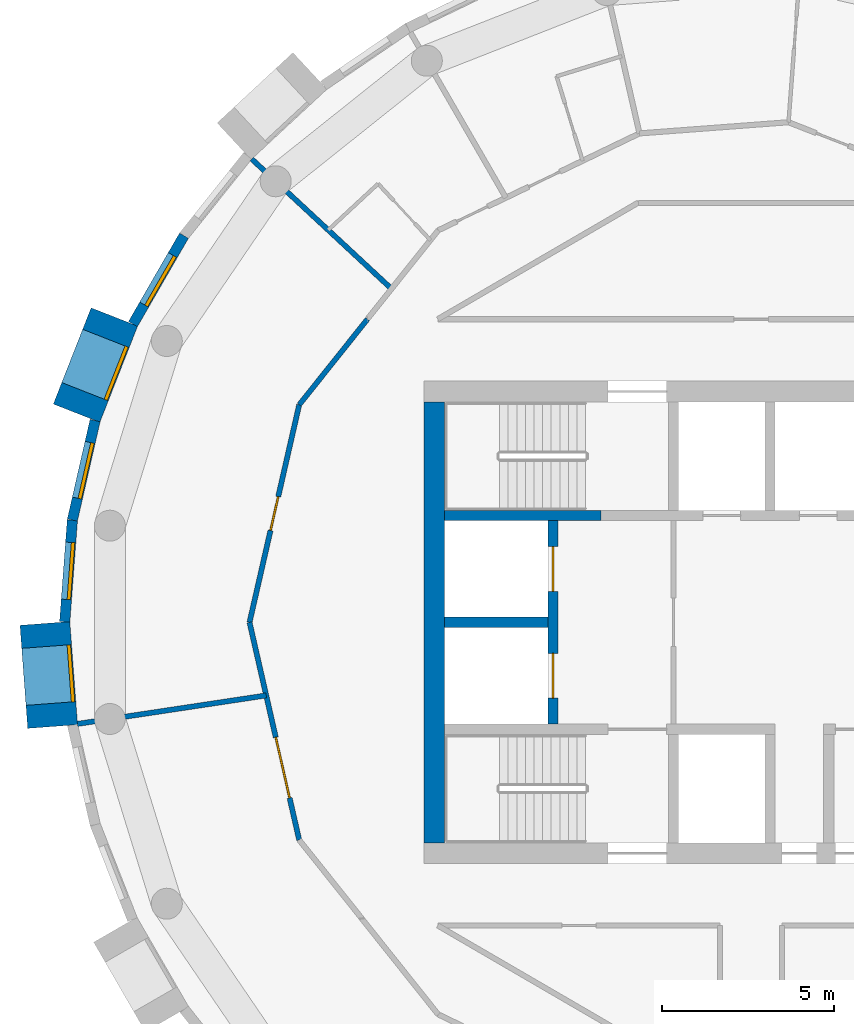
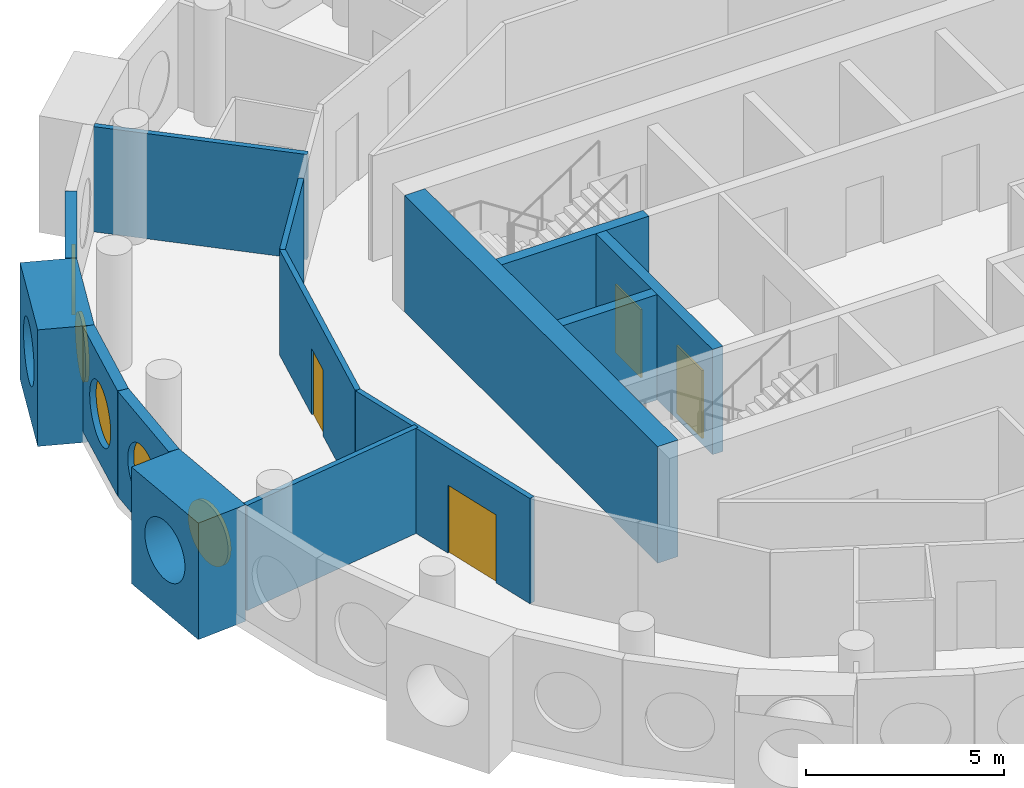
# One storey, part 6 of 13: 14 walls, 5 windows, 4 doors, 9 openings.
"""IFC4 building model written with IfcOpenShell, lengths in metres."""

from ifc_helpers import new_model, si_unit, direction, frame, frame_2d, origin, origin_2d, place, context, subcontext, project, spatial, rectangle, circle, extrude, material, layer, layer_set, type_object, element, fill, save


model = new_model("IFC4")

# Units and contexts
model_context = context("Model", 3, precision=1e-05, world=origin(), true_north=direction((0.0, 1.0)))
body_context = subcontext(model_context, "Body", "Model", "MODEL_VIEW")
ifc_project = project(units=[si_unit("LENGTHUNIT", "METRE"), si_unit("AREAUNIT", "SQUARE_METRE"), si_unit("VOLUMEUNIT", "CUBIC_METRE"), si_unit("PLANEANGLEUNIT", "RADIAN"), si_unit("MASSUNIT", "GRAM", prefix="KILO")], contexts=[model_context])

# Site, building, storey
site_placement = place(None, origin())
site = spatial("IfcSite", under=ifc_project, at=site_placement, CompositionType="ELEMENT")
building_placement = place(site_placement, origin())
building = spatial("IfcBuilding", under=site, at=building_placement, Name="Tracery Tower", CompositionType="ELEMENT")
storey_placement = place(building_placement, frame((0.0, 0.0, 319.800048828125)))
storey = spatial("IfcBuildingStorey", under=building, at=storey_placement, Name="L83", CompositionType="ELEMENT", Elevation=319.800048828125)

# Wall
ifc_material_1 = material(Name="Concrete C40/50", Category="concrete")
ifc_layer_1 = layer(ifc_material_1, 0.60009765625)
ifc_layer_set_1 = layer_set([ifc_layer_1], Name="Core wall 600 C40")
wall_type_1 = type_object("IfcWallType", Name="Core wall 600 C40", PredefinedType="SOLIDWALL", material=ifc_layer_set_1)
wall_1_placement = place(storey_placement, frame((-9.199951171875, -6.39990234375, 0.0), z_axis=(0.0, 0.0, 1.0), x_axis=(0.0, 1.0, 0.0)))
element("IfcWall", 1, at=wall_1_placement, inside=storey, type_object=wall_type_1, Name="L83 outer W", PredefinedType="SOLIDWALL", context=body_context, shape_type="SweptSolid", body=[
    extrude(rectangle(XDim=12.7998046875, YDim=0.60009765625, at=frame_2d((6.39990234375, 0.0))), origin(), (0.0, 0.0, 1.0), 3.599853515625),
])

# Wall, opening, window
ifc_material_2 = material(Name="Precast concrete C50/60", Category="concrete")
ifc_layer_2 = layer(ifc_material_2, 1.449951171875)
ifc_layer_set_2 = layer_set([ifc_layer_2], Name="Deep-set bay unit 3000 x 3600, slab edge 350")
wall_type_2 = type_object("IfcWallType", Name="Deep-set bay unit 3000 x 3600, slab edge 350", PredefinedType="ELEMENTEDWALL", material=ifc_layer_set_2)
wall_2_placement = place(storey_placement, frame((-18.47998046875, 8.8642578125, -0.35009765625), z_axis=(0.0, 0.0, 1.0), x_axis=(-0.36537792632, -0.93085926485, 0.0)))
wall_2 = element("IfcWall", 2, at=wall_2_placement, inside=storey, type_object=wall_type_2, Name="Deep-set bay unit 19 at L83", PredefinedType="ELEMENTEDWALL", context=body_context, shape_type="SweptSolid", body=[
    extrude(rectangle(XDim=3.000244140625, YDim=1.449951171875, at=frame_2d((1.5, 0.0))), origin(), (0.0, 0.0, 1.0), 3.60009765625),
])
opening_1_placement = place(wall_2_placement, frame((1.5, 0.0, 1.89990234375)))
opening_1 = element("IfcOpeningElement", 3, at=opening_1_placement, cuts=wall_2, Name="Opening WN1", PredefinedType="OPENING", context=body_context, shape_type="SweptSolid", body=[
    extrude(circle(Radius=0.9000244140625, at=origin_2d()), frame((0.0, 0.73486328125, 0.0), z_axis=(0.0, -1.0, 0.0), x_axis=(1.0, 0.0, 0.0)), (0.0, 0.0, 1.0), 1.469970703125),
])
ifc_material_3 = material(Name="Aluminium frame with tinted double glazing", Category="aluminium")
window_type = type_object("IfcWindowType", Name="Round window 1800", PartitioningType="SINGLE_PANEL", PredefinedType="WINDOW", material=ifc_material_3)
window_1_placement = place(opening_1_placement, origin())
window_1 = element("IfcWindow", 4, at=window_1_placement, inside=storey, type_object=window_type, Name="Round window 19 at L83", OverallHeight=1.800048828125, OverallWidth=1.800048828125, PartitioningType="SINGLE_PANEL", PredefinedType="WINDOW", context=body_context, shape_type="SweptSolid", body=[
    extrude(circle(Radius=0.9000244140625, at=origin_2d()), frame((0.0, 0.69482421875, 0.0), z_axis=(0.0, -1.0, 0.0), x_axis=(1.0, 0.0, 0.0)), (0.0, 0.0, 1.0), 0.10009765625),
])
fill(opening_1, window_1)

wall_3_placement = place(storey_placement, frame((-20.49609375, -0.03173828125, -0.35009765625), z_axis=(0.0, 0.0, 1.0), x_axis=(0.074785902127, -0.997199613339, 0.0)))
wall_3 = element("IfcWall", 5, at=wall_3_placement, inside=storey, type_object=wall_type_2, Name="Deep-set bay unit 22 at L83", PredefinedType="ELEMENTEDWALL", context=body_context, shape_type="SweptSolid", body=[
    extrude(rectangle(XDim=3.0, YDim=1.449951171875, at=frame_2d((1.5, 0.0))), origin(), (0.0, 0.0, 1.0), 3.60009765625),
])
opening_2_placement = place(wall_3_placement, frame((1.5, 0.0, 1.89990234375)))
opening_2 = element("IfcOpeningElement", 6, at=opening_2_placement, cuts=wall_3, Name="Opening WN1", PredefinedType="OPENING", context=body_context, shape_type="SweptSolid", body=[
    extrude(circle(Radius=0.9000244140625, at=origin_2d()), frame((0.0, 0.73486328125, 0.0), z_axis=(0.0, -1.0, 0.0), x_axis=(1.0, 0.0, 0.0)), (0.0, 0.0, 1.0), 1.469970703125),
])
window_2_placement = place(opening_2_placement, origin())
window_2 = element("IfcWindow", 7, at=window_2_placement, inside=storey, type_object=window_type, Name="Round window 22 at L83", OverallHeight=1.800048828125, OverallWidth=1.800048828125, PartitioningType="SINGLE_PANEL", PredefinedType="WINDOW", context=body_context, shape_type="SweptSolid", body=[
    extrude(circle(Radius=0.9000244140625, at=origin_2d()), frame((0.0, 0.69482421875, 0.0), z_axis=(0.0, -1.0, 0.0), x_axis=(1.0, 0.0, 0.0)), (0.0, 0.0, 1.0), 0.10009765625),
])
fill(opening_2, window_2)

ifc_material_4 = material(Name="Precast concrete C50/60", Category="concrete")
ifc_layer_3 = layer(ifc_material_4, 0.300048828125)
ifc_layer_set_3 = layer_set([ifc_layer_3], Name="Facade panel 3000 x 3250")
wall_type_3 = type_object("IfcWallType", Name="Facade panel 3000 x 3250", PredefinedType="SOLIDWALL", material=ifc_layer_set_3)
wall_4_placement = place(storey_placement, frame((-16.460205078125, 11.222412109375, 0.0), z_axis=(0.0, 0.0, 1.0), x_axis=(-0.499950756475, -0.86605383268, 0.0)))
wall_4 = element("IfcWall", 8, at=wall_4_placement, inside=storey, type_object=wall_type_3, Name="Facade panel 18 at L83", PredefinedType="SOLIDWALL", context=body_context, shape_type="SweptSolid", body=[
    extrude(rectangle(XDim=2.962158203125, YDim=0.300048828125, at=frame_2d((1.48095703125, 0.0))), origin(), (0.0, 0.0, 1.0), 3.25),
])
opening_3_placement = place(wall_4_placement, frame((1.48095703125, 0.0, 1.5498046875)))
opening_3 = element("IfcOpeningElement", 9, at=opening_3_placement, cuts=wall_4, Name="Opening WN1", PredefinedType="OPENING", context=body_context, shape_type="SweptSolid", body=[
    extrude(circle(Radius=0.9000244140625, at=origin_2d()), frame((0.0, 0.159912109375, 0.0), z_axis=(0.0, -1.0, 0.0), x_axis=(1.0, 0.0, 0.0)), (0.0, 0.0, 1.0), 0.320068359375),
])
window_3_placement = place(opening_3_placement, origin())
window_3 = element("IfcWindow", 10, at=window_3_placement, inside=storey, type_object=window_type, Name="Round window 18 at L83", OverallHeight=1.800048828125, OverallWidth=1.800048828125, PartitioningType="SINGLE_PANEL", PredefinedType="WINDOW", context=body_context, shape_type="SweptSolid", body=[
    extrude(circle(Radius=0.9000244140625, at=origin_2d()), frame((0.0, 0.1201171875, 0.0), z_axis=(0.0, -1.0, 0.0), x_axis=(1.0, 0.0, 0.0)), (0.0, 0.0, 1.0), 0.10009765625),
])
fill(opening_3, window_3)

wall_5_placement = place(storey_placement, frame((-19.0400390625, 5.857177734375, 0.0), z_axis=(0.0, 0.0, 1.0), x_axis=(-0.222529389789, -0.974925982155, 0.0)))
wall_5 = element("IfcWall", 11, at=wall_5_placement, inside=storey, type_object=wall_type_3, Name="Facade panel 20 at L83", PredefinedType="SOLIDWALL", context=body_context, shape_type="SweptSolid", body=[
    extrude(rectangle(XDim=2.962158203125, YDim=0.300048828125, at=frame_2d((1.48095703125, 0.0))), origin(), (0.0, 0.0, 1.0), 3.25),
])
opening_4_placement = place(wall_5_placement, frame((1.48095703125, 0.0, 1.5498046875)))
opening_4 = element("IfcOpeningElement", 12, at=opening_4_placement, cuts=wall_5, Name="Opening WN1", PredefinedType="OPENING", context=body_context, shape_type="SweptSolid", body=[
    extrude(circle(Radius=0.9000244140625, at=origin_2d()), frame((0.0, 0.159912109375, 0.0), z_axis=(0.0, -1.0, 0.0), x_axis=(1.0, 0.0, 0.0)), (0.0, 0.0, 1.0), 0.320068359375),
])
window_4_placement = place(opening_4_placement, origin())
window_4 = element("IfcWindow", 13, at=window_4_placement, inside=storey, type_object=window_type, Name="Round window 20 at L83", OverallHeight=1.800048828125, OverallWidth=1.800048828125, PartitioningType="SINGLE_PANEL", PredefinedType="WINDOW", context=body_context, shape_type="SweptSolid", body=[
    extrude(circle(Radius=0.9000244140625, at=origin_2d()), frame((0.0, 0.1201171875, 0.0), z_axis=(0.0, -1.0, 0.0), x_axis=(1.0, 0.0, 0.0)), (0.0, 0.0, 1.0), 0.10009765625),
])
fill(opening_4, window_4)

wall_6_placement = place(storey_placement, frame((-19.69921875, 2.96923828125, 0.0), z_axis=(0.0, 0.0, 1.0), x_axis=(-0.07474897196, -0.997202382263, 0.0)))
wall_6 = element("IfcWall", 14, at=wall_6_placement, inside=storey, type_object=wall_type_3, Name="Facade panel 21 at L83", PredefinedType="SOLIDWALL", context=body_context, shape_type="SweptSolid", body=[
    extrude(rectangle(XDim=2.96240234375, YDim=0.300048828125, at=frame_2d((1.481201171875, 0.0))), origin(), (0.0, 0.0, 1.0), 3.25),
])
opening_5_placement = place(wall_6_placement, frame((1.48095703125, 0.0, 1.5498046875)))
opening_5 = element("IfcOpeningElement", 15, at=opening_5_placement, cuts=wall_6, Name="Opening WN1", PredefinedType="OPENING", context=body_context, shape_type="SweptSolid", body=[
    extrude(circle(Radius=0.9000244140625, at=origin_2d()), frame((0.0, 0.159912109375, 0.0), z_axis=(0.0, -1.0, 0.0), x_axis=(1.0, 0.0, 0.0)), (0.0, 0.0, 1.0), 0.320068359375),
])
window_5_placement = place(opening_5_placement, origin())
window_5 = element("IfcWindow", 16, at=window_5_placement, inside=storey, type_object=window_type, Name="Round window 21 at L83", OverallHeight=1.800048828125, OverallWidth=1.800048828125, PartitioningType="SINGLE_PANEL", PredefinedType="WINDOW", context=body_context, shape_type="SweptSolid", body=[
    extrude(circle(Radius=0.9000244140625, at=origin_2d()), frame((0.0, 0.1201171875, 0.0), z_axis=(0.0, -1.0, 0.0), x_axis=(1.0, 0.0, 0.0)), (0.0, 0.0, 1.0), 0.10009765625),
])
fill(opening_5, window_5)

# Walls
ifc_material_5 = material(Name="Plasterboard on steel studs", Category="steel")
ifc_layer_4 = layer(ifc_material_5, 0.14990234375)
ifc_layer_set_4 = layer_set([ifc_layer_4], Name="Partition 150 acoustic unit wall")
wall_type_4 = type_object("IfcWallType", Name="Partition 150 acoustic unit wall", PredefinedType="PARTITIONING", material=ifc_layer_set_4)
wall_7_placement = place(storey_placement, frame((-14.492919921875, 13.447998046875, 0.0), z_axis=(0.0, 0.0, 1.0), x_axis=(0.732845293448, -0.680395308531, 0.0)))
element("IfcWall", 17, at=wall_7_placement, inside=storey, type_object=wall_type_4, Name="Unit wall RC9-056", PredefinedType="PARTITIONING", context=body_context, shape_type="SweptSolid", body=[
    extrude(rectangle(XDim=5.5390625, YDim=0.14990234375, at=frame_2d((2.76953125, 0.0))), origin(), (0.0, 0.0, 1.0), 3.25),
])
wall_8_placement = place(storey_placement, frame((-19.551025390625, -2.947021484375, 0.0), z_axis=(0.0, 0.0, 1.0), x_axis=(0.988824228734, 0.149086031099, 0.0)))
element("IfcWall", 18, at=wall_8_placement, inside=storey, type_object=wall_type_4, Name="Unit wall RC9-057", PredefinedType="PARTITIONING", context=body_context, shape_type="SweptSolid", body=[
    extrude(rectangle(XDim=5.5400390625, YDim=0.14990234375, at=frame_2d((2.77001953125, 0.0))), origin(), (0.0, 0.0, 1.0), 3.25),
])

# Wall, opening, door
ifc_material_6 = material(Name="Plasterboard on steel studs", Category="steel")
ifc_layer_5 = layer(ifc_material_6, 0.14990234375)
ifc_layer_set_5 = layer_set([ifc_layer_5], Name="Partition 150 corridor wall")
wall_type_5 = type_object("IfcWallType", Name="Partition 150 corridor wall", PredefinedType="PARTITIONING", material=ifc_layer_set_5)
wall_9_placement = place(storey_placement, frame((-14.556884765625, 0.0, 0.0), z_axis=(0.0, 0.0, 1.0), x_axis=(0.222489165471, -0.974935162587, 0.0)))
wall_9 = element("IfcWall", 19, at=wall_9_placement, inside=storey, type_object=wall_type_5, Name="Corridor wall RC9-030", PredefinedType="PARTITIONING", context=body_context, shape_type="SweptSolid", body=[
    extrude(rectangle(XDim=6.478515625, YDim=0.14990234375, at=frame_2d((3.2392578125, 0.0))), origin(), (0.0, 0.0, 1.0), 3.25),
])
opening_6_placement = place(wall_9_placement, frame((3.424560546875, 0.0, 0.0)))
opening_6 = element("IfcOpeningElement", 20, at=opening_6_placement, cuts=wall_9, Name="Opening RC9-14", PredefinedType="OPENING", context=body_context, shape_type="SweptSolid", body=[
    extrude(rectangle(XDim=1.800048828125, YDim=2.10009765625, at=frame_2d((0.89990234375, 1.050048828125))), frame((0.0, 0.074951171875, 0.0), z_axis=(0.0, -1.0, 0.0), x_axis=(1.0, 0.0, 0.0)), (0.0, 0.0, 1.0), 0.14990234375),
])
ifc_material_7 = material(Name="Timber door leaf", Category="wood")
door_type_1 = type_object("IfcDoorType", Name="Door double lounge 1800", OperationType="NOTDEFINED", PredefinedType="DOOR", material=ifc_material_7)
door_1_placement = place(opening_6_placement, origin())
door_1 = element("IfcDoor", 21, at=door_1_placement, inside=storey, type_object=door_type_1, Name="Double lounge door RC9-14", OperationType="DOUBLE_DOOR_SINGLE_SWING", OverallHeight=2.10009765625, OverallWidth=1.800048828125, PredefinedType="DOOR", context=body_context, shape_type="SweptSolid", body=[
    extrude(rectangle(XDim=1.800048828125, YDim=2.10009765625, at=frame_2d((0.89990234375, 1.050048828125))), frame((0.0, 0.02490234375, 0.0), z_axis=(0.0, -1.0, 0.0), x_axis=(1.0, 0.0, 0.0)), (0.0, 0.0, 1.0), 0.050048828125),
])
fill(opening_6, door_1)

wall_10_placement = place(storey_placement, frame((-14.556884765625, 0.0, 0.0), z_axis=(0.0, 0.0, 1.0), x_axis=(0.222568978642, 0.97491694505, 0.0)))
wall_10 = element("IfcWall", 22, at=wall_10_placement, inside=storey, type_object=wall_type_5, Name="Corridor wall RC9-031", PredefinedType="PARTITIONING", context=body_context, shape_type="SweptSolid", body=[
    extrude(rectangle(XDim=6.478515625, YDim=0.14990234375, at=frame_2d((3.2392578125, 0.0))), origin(), (0.0, 0.0, 1.0), 3.25),
])
opening_7_placement = place(wall_10_placement, frame((2.739013671875, 0.0, 0.0)))
opening_7 = element("IfcOpeningElement", 23, at=opening_7_placement, cuts=wall_10, Name="Opening RC9-13", PredefinedType="OPENING", context=body_context, shape_type="SweptSolid", body=[
    extrude(rectangle(XDim=1.0, YDim=2.0400390625, at=frame_2d((0.5, 1.02001953125))), frame((0.0, 0.074951171875, 0.0), z_axis=(0.0, -1.0, 0.0), x_axis=(1.0, 0.0, 0.0)), (0.0, 0.0, 1.0), 0.14990234375),
])
ifc_material_8 = material(Name="Timber door leaf", Category="wood")
door_type_2 = type_object("IfcDoorType", Name="Door communal room 1000", OperationType="NOTDEFINED", PredefinedType="DOOR", material=ifc_material_8)
door_2_placement = place(opening_7_placement, origin())
door_2 = element("IfcDoor", 24, at=door_2_placement, inside=storey, type_object=door_type_2, Name="Communal room door RC9-13", OperationType="SINGLE_SWING_LEFT", OverallHeight=2.0400390625, OverallWidth=1.0, PredefinedType="DOOR", context=body_context, shape_type="SweptSolid", body=[
    extrude(rectangle(XDim=1.0, YDim=2.0400390625, at=frame_2d((0.5, 1.02001953125))), frame((0.0, 0.02490234375, 0.0), z_axis=(0.0, -1.0, 0.0), x_axis=(1.0, 0.0, 0.0)), (0.0, 0.0, 1.0), 0.050048828125),
])
fill(opening_7, door_2)

# Walls
wall_11_placement = place(storey_placement, frame((-13.114990234375, 6.31591796875, 0.0), z_axis=(0.0, 0.0, 1.0), x_axis=(0.623476099415, 0.781842409606, 0.0)))
element("IfcWall", 25, at=wall_11_placement, inside=storey, type_object=wall_type_5, Name="Corridor wall RC9-032", PredefinedType="PARTITIONING", context=body_context, shape_type="SweptSolid", body=[
    extrude(rectangle(XDim=3.17724609375, YDim=0.14990234375, at=frame_2d((1.588623046875, 0.0))), origin(), (0.0, 0.0, 1.0), 3.25),
])
ifc_material_9 = material(Name="Concrete C40/50", Category="concrete")
ifc_layer_6 = layer(ifc_material_9, 0.300048828125)
ifc_layer_set_6 = layer_set([ifc_layer_6], Name="Shaft wall 300 C40")
wall_type_6 = type_object("IfcWallType", Name="Shaft wall 300 C40", PredefinedType="SOLIDWALL", material=ifc_layer_set_6)
wall_12_placement = place(storey_placement, frame((-8.89990234375, 0.0, 0.0), z_axis=(0.0, 0.0, 1.0), x_axis=(1.0, 0.0, 0.0)))
element("IfcWall", 26, at=wall_12_placement, inside=storey, type_object=wall_type_6, Name="L83 FF split", PredefinedType="SOLIDWALL", context=body_context, shape_type="SweptSolid", body=[
    extrude(rectangle(XDim=3.0, YDim=0.300048828125, at=frame_2d((1.5, 0.0))), origin(), (0.0, 0.0, 1.0), 3.25),
])

# Wall, openings, doors
wall_13_placement = place(storey_placement, frame((-5.75, -2.949951171875, 0.0), z_axis=(0.0, 0.0, 1.0), x_axis=(0.0, 1.0, 0.0)))
wall_13 = element("IfcWall", 27, at=wall_13_placement, inside=storey, type_object=wall_type_6, Name="L83 FF doors", PredefinedType="SOLIDWALL", context=body_context, shape_type="SweptSolid", body=[
    extrude(rectangle(XDim=5.89990234375, YDim=0.300048828125, at=frame_2d((2.949951171875, 0.0))), origin(), (0.0, 0.0, 1.0), 3.25),
])
opening_8_placement = place(wall_13_placement, frame((0.75, 0.0, 0.0)))
opening_8 = element("IfcOpeningElement", 28, at=opening_8_placement, cuts=wall_13, Name="Opening KD54", PredefinedType="OPENING", context=body_context, shape_type="SweptSolid", body=[
    extrude(rectangle(XDim=1.300048828125, YDim=2.10009765625, at=frame_2d((0.64990234375, 1.050048828125))), frame((0.0, 0.14990234375, 0.0), z_axis=(0.0, -1.0, 0.0), x_axis=(1.0, 0.0, 0.0)), (0.0, 0.0, 1.0), 0.300048828125),
])
opening_9_placement = place(wall_13_placement, frame((3.85009765625, 0.0, 0.0)))
opening_9 = element("IfcOpeningElement", 29, at=opening_9_placement, cuts=wall_13, Name="Opening KD55", PredefinedType="OPENING", context=body_context, shape_type="SweptSolid", body=[
    extrude(rectangle(XDim=1.300048828125, YDim=2.10009765625, at=frame_2d((0.64990234375, 1.050048828125))), frame((0.0, 0.14990234375, 0.0), z_axis=(0.0, -1.0, 0.0), x_axis=(1.0, 0.0, 0.0)), (0.0, 0.0, 1.0), 0.300048828125),
])
ifc_material_10 = material(Name="Steel fire door", Category="steel")
door_type_3 = type_object("IfcDoorType", Name="Landing door FF 1300", OperationType="NOTDEFINED", PredefinedType="DOOR", material=ifc_material_10)
door_3_placement = place(opening_8_placement, origin())
door_3 = element("IfcDoor", 30, at=door_3_placement, inside=storey, type_object=door_type_3, Name="Landing door FF1", OperationType="SLIDING_TO_LEFT", OverallHeight=2.10009765625, OverallWidth=1.300048828125, PredefinedType="DOOR", context=body_context, shape_type="SweptSolid", body=[
    extrude(rectangle(XDim=1.300048828125, YDim=2.10009765625, at=frame_2d((0.64990234375, 1.050048828125))), frame((0.0, 0.02490234375, 0.0), z_axis=(0.0, -1.0, 0.0), x_axis=(1.0, 0.0, 0.0)), (0.0, 0.0, 1.0), 0.050048828125),
])
fill(opening_8, door_3)
door_4_placement = place(opening_9_placement, origin())
door_4 = element("IfcDoor", 31, at=door_4_placement, inside=storey, type_object=door_type_3, Name="Landing door FF2", OperationType="SLIDING_TO_RIGHT", OverallHeight=2.10009765625, OverallWidth=1.300048828125, PredefinedType="DOOR", context=body_context, shape_type="SweptSolid", body=[
    extrude(rectangle(XDim=1.300048828125, YDim=2.10009765625, at=frame_2d((0.64990234375, 1.050048828125))), frame((0.0, 0.02490234375, 0.0), z_axis=(0.0, -1.0, 0.0), x_axis=(1.0, 0.0, 0.0)), (0.0, 0.0, 1.0), 0.050048828125),
])
fill(opening_9, door_4)

# Wall
ifc_material_11 = material(Name="Concrete C40/50", Category="concrete")
ifc_layer_7 = layer(ifc_material_11, 0.300048828125)
ifc_layer_set_7 = layer_set([ifc_layer_7], Name="Stair wall 300 C40")
wall_type_7 = type_object("IfcWallType", Name="Stair wall 300 C40", PredefinedType="SOLIDWALL", material=ifc_layer_set_7)
wall_14_placement = place(storey_placement, frame((-8.89990234375, 3.10009765625, 0.0), z_axis=(0.0, 0.0, 1.0), x_axis=(1.0, 0.0, 0.0)))
element("IfcWall", 32, at=wall_14_placement, inside=storey, type_object=wall_type_7, Name="L83 row N W", PredefinedType="SOLIDWALL", context=body_context, shape_type="SweptSolid", body=[
    extrude(rectangle(XDim=4.5498046875, YDim=0.300048828125, at=frame_2d((2.27490234375, 0.0))), origin(), (0.0, 0.0, 1.0), 3.25),
])

save(model, "model.ifc")
